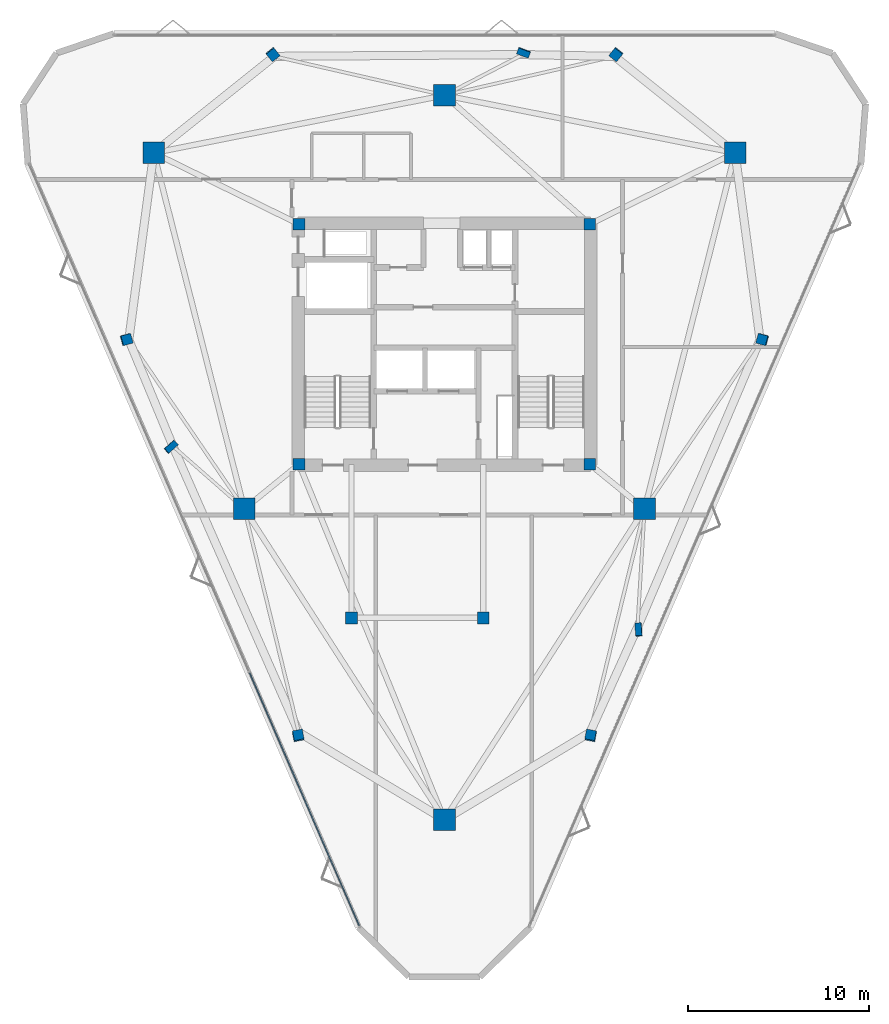
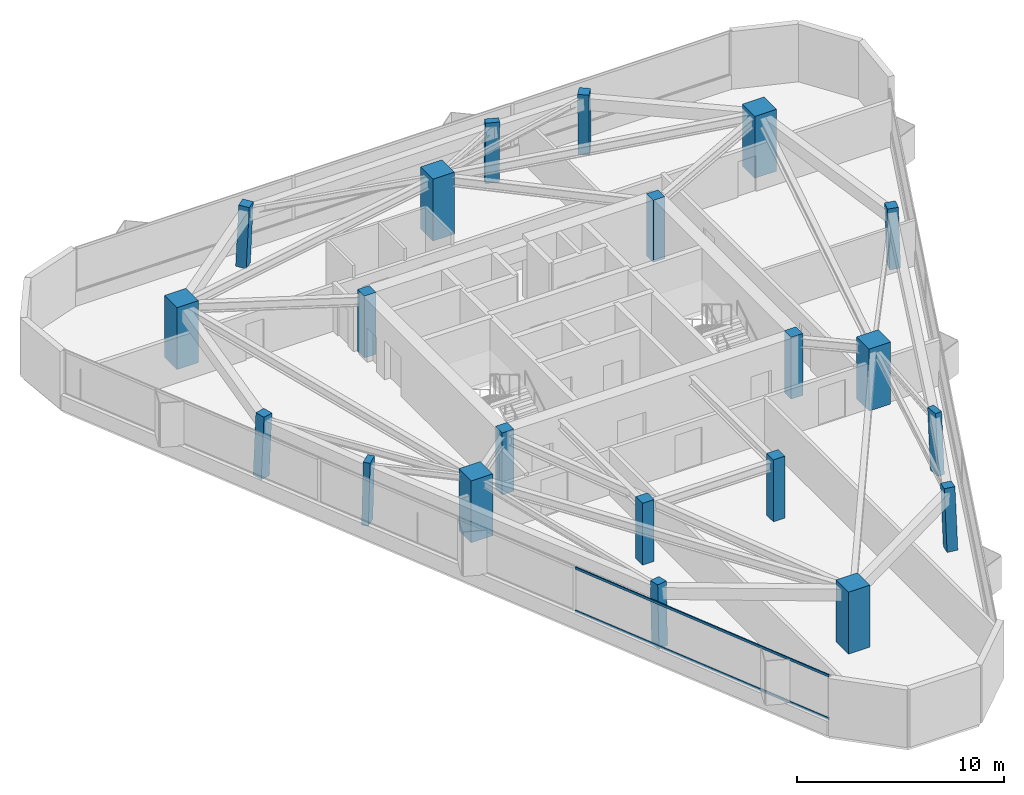
# One storey, part 1 of 11: 21 columns, 2 members, 1 element without a shape of its own.
"""IFC4 building model written with IfcOpenShell, lengths in metres."""

from ifc_helpers import new_model, si_unit, direction, frame, origin, origin_2d, place, context, subcontext, project, spatial, rectangle, extrude, material, layer, layer_set, material_profile, profile_set, type_object, element, aggregate, save


model = new_model("IFC4")

# Units and contexts
model_context = context("Model", 3, precision=1e-05, world=origin(), true_north=direction((0.0, 1.0)))
body_context = subcontext(model_context, "Body", "Model", "MODEL_VIEW")
ifc_project = project(units=[si_unit("LENGTHUNIT", "METRE"), si_unit("AREAUNIT", "SQUARE_METRE"), si_unit("VOLUMEUNIT", "CUBIC_METRE"), si_unit("PLANEANGLEUNIT", "RADIAN"), si_unit("MASSUNIT", "GRAM", prefix="KILO")], contexts=[model_context])

# Site, building, storey
site_placement = place(None, origin())
site = spatial("IfcSite", under=ifc_project, at=site_placement, CompositionType="ELEMENT")
building_placement = place(site_placement, origin())
building = spatial("IfcBuilding", under=site, at=building_placement, Name="Talyreon Biosciences Tower", CompositionType="ELEMENT")
storey_placement = place(building_placement, frame((0.0, 0.0, 249.85009765625)))
storey = spatial("IfcBuildingStorey", under=building, at=storey_placement, Name="L66", CompositionType="ELEMENT", Elevation=249.85009765625)

# Columns
ifc_material_1 = material(Name="Precast concrete C45/55", Category="concrete")
ifc_material_profile_1 = material_profile(ifc_material_1, rectangle(XDim=0.699951171875, YDim=0.35009765625, at=origin_2d()), Name="RC 700x350")
ifc_profile_set_1 = profile_set([ifc_material_profile_1], Name="Precast concrete C45/55")
column_type_1 = type_object("IfcColumnType", Name="FacadePilaster_700x350", PredefinedType="PILASTER", material=ifc_profile_set_1)
column_1_placement = place(storey_placement, frame((76.763427734375, 52.173828125, 0.0029296875), z_axis=(-0.019611953815, 0.038353752683, 0.999071749637), x_axis=(0.063424322682, -0.997203573206, 0.039527065121)))
element("IfcColumn", 1, at=column_1_placement, inside=storey, type_object=column_type_1, Name="L66 Facade Pilaster PL-SE", PredefinedType="PILASTER", context=body_context, shape_type="SweptSolid", body=[
    extrude(rectangle(XDim=0.699951171875, YDim=0.35009765625, at=origin_2d()), origin(), (0.0, 0.0, 1.0), 3.6474609375),
])
column_2_placement = place(storey_placement, frame((70.392822265625, 84.167724609375, 0.0029296875), z_axis=(-0.012386580681, -0.033477245085, 0.999362720278), x_axis=(-0.937861842681, 0.347008881792, 0.0)))
element("IfcColumn", 2, at=column_2_placement, inside=storey, type_object=column_type_1, Name="L66 Facade Pilaster PL-N", PredefinedType="PILASTER", context=body_context, shape_type="SweptSolid", body=[
    extrude(rectangle(XDim=0.699951171875, YDim=0.35009765625, at=origin_2d()), origin(), (0.0, 0.0, 1.0), 3.646484375),
])
column_3_placement = place(storey_placement, frame((50.843505859375, 62.3134765625, 0.0029296875), z_axis=(0.032006454348, 0.010579539303, 0.999431668614), x_axis=(0.745968971731, 0.665262002068, -0.030931566717)))
element("IfcColumn", 3, at=column_3_placement, inside=storey, type_object=column_type_1, Name="L66 Facade Pilaster PL-SW", PredefinedType="PILASTER", context=body_context, shape_type="SweptSolid", body=[
    extrude(rectangle(XDim=0.699951171875, YDim=0.35009765625, at=origin_2d()), origin(), (0.0, 0.0, 1.0), 3.64599609375),
])
ifc_material_2 = material(Name="Concrete C50/60", Category="concrete")
ifc_material_profile_2 = material_profile(ifc_material_2, rectangle(XDim=1.199951171875, YDim=1.199951171875, at=origin_2d()), Name="RC 1200x1200")
ifc_profile_set_2 = profile_set([ifc_material_profile_2], Name="Concrete C50/60")
column_type_2 = type_object("IfcColumnType", Name="MegaColumn_1200", PredefinedType="COLUMN", material=ifc_profile_set_2)
for number, where, z_axis, x_axis, name in (
    (4, (66.0, 41.6669921875, 0.0), (0.0, 0.0, 1.0), (1.0, 0.0, 0.0), "L66 Composite Mega-Column MC1"),
    (5, (82.102294921875, 78.5986328125, 0.0), (0.0, 0.0, 1.0), (1.0, 0.0, 0.0), "L66 Composite Mega-Column MC2"),
    (6, (49.897705078125, 78.5986328125, 0.0), (0.0, 0.0, 1.0), (1.0, 0.0, 0.0), "L66 Composite Mega-Column MC3"),
    (7, (77.086181640625, 58.88037109375, 0.0), (0.0, 0.0, 1.0), (1.0, 0.0, 0.0), "L66 Composite Mega-Column MC4"),
    (8, (66.0, 81.788818359375, 0.0), (0.0, 0.0, 1.0), (1.0, 0.0, 0.0), "L66 Composite Mega-Column MC5"),
    (9, (54.913818359375, 58.88037109375, 0.0), (0.0, 0.0, 1.0), (1.0, 0.0, 0.0), "L66 Composite Mega-Column MC6"),
):
    element("IfcColumn", number, at=place(storey_placement, frame(where, z_axis=z_axis, x_axis=x_axis)), inside=storey, type_object=column_type_2, Name=name, PredefinedType="COLUMN", context=body_context, shape_type="SweptSolid", body=[
        extrude(rectangle(XDim=1.199951171875, YDim=1.199951171875, at=origin_2d()), origin(), (0.0, 0.0, 1.0), 3.64990234375),
    ])
ifc_material_profile_3 = material_profile(ifc_material_2, rectangle(XDim=0.550048828125, YDim=0.550048828125, at=origin_2d()), Name="RC 550x550")
ifc_profile_set_3 = profile_set([ifc_material_profile_3], Name="Concrete C50/60")
column_type_3 = type_object("IfcColumnType", Name="PerimeterColumn_550", PredefinedType="COLUMN", material=ifc_profile_set_3)
column_4_placement = place(storey_placement, frame((74.109130859375, 46.298828125, 0.0029296875), z_axis=(-0.012308213911, 0.054517360531, 0.99843696109), x_axis=(-0.186013372257, -0.981207941568, 0.051283532888)))
element("IfcColumn", 10, at=column_4_placement, inside=storey, type_object=column_type_3, Name="L66 Tapering Perimeter Column PC-SE1", PredefinedType="COLUMN", context=body_context, shape_type="SweptSolid", body=[
    extrude(rectangle(XDim=0.550048828125, YDim=0.550048828125, at=origin_2d()), origin(), (0.0, 0.0, 1.0), 3.649658203125),
])
column_5_placement = place(storey_placement, frame((83.627197265625, 68.26806640625, 0.0029296875), z_axis=(-0.039229508262, -0.005623342481, 0.999214403269), x_axis=(0.96399787144, -0.26341170958, 0.036364476019)))
element("IfcColumn", 11, at=column_5_placement, inside=storey, type_object=column_type_3, Name="L66 Tapering Perimeter Column PC-SE2", PredefinedType="COLUMN", context=body_context, shape_type="SweptSolid", body=[
    extrude(rectangle(XDim=0.550048828125, YDim=0.550048828125, at=origin_2d()), origin(), (0.0, 0.0, 1.0), 3.64697265625),
])
for number, where, z_axis, x_axis, name in (
    (12, (75.51806640625, 84.06787109375, 0.0029296875), (-0.026907963191, -0.033534551141, 0.999075270136), (-0.779956681152, 0.625833504637, 0.0), "L66 Tapering Perimeter Column PC-N1"),
    (13, (56.48193359375, 84.06787109375, 0.0029296875), (0.026907963191, -0.033534551141, 0.999075270136), (-0.779956681152, -0.625833504637, 0.0), "L66 Tapering Perimeter Column PC-N2"),
):
    element("IfcColumn", number, at=place(storey_placement, frame(where, z_axis=z_axis, x_axis=x_axis)), inside=storey, type_object=column_type_3, Name=name, PredefinedType="COLUMN", context=body_context, shape_type="SweptSolid", body=[
        extrude(rectangle(XDim=0.550048828125, YDim=0.550048828125, at=origin_2d()), origin(), (0.0, 0.0, 1.0), 3.6474609375),
    ])
column_6_placement = place(storey_placement, frame((48.372802734375, 68.26806640625, 0.0029296875), z_axis=(0.039229508262, -0.005623342481, 0.999214403269), x_axis=(0.96399787144, 0.26341170958, -0.036364476019)))
element("IfcColumn", 14, at=column_6_placement, inside=storey, type_object=column_type_3, Name="L66 Tapering Perimeter Column PC-SW1", PredefinedType="COLUMN", context=body_context, shape_type="SweptSolid", body=[
    extrude(rectangle(XDim=0.550048828125, YDim=0.550048828125, at=origin_2d()), origin(), (0.0, 0.0, 1.0), 3.64697265625),
])
column_7_placement = place(storey_placement, frame((57.890869140625, 46.298828125, 0.0029296875), z_axis=(0.012308213911, 0.054517360531, 0.99843696109), x_axis=(-0.186013372257, 0.981207941568, -0.051283532888)))
element("IfcColumn", 15, at=column_7_placement, inside=storey, type_object=column_type_3, Name="L66 Tapering Perimeter Column PC-SW2", PredefinedType="COLUMN", context=body_context, shape_type="SweptSolid", body=[
    extrude(rectangle(XDim=0.550048828125, YDim=0.550048828125, at=origin_2d()), origin(), (0.0, 0.0, 1.0), 3.649658203125),
])
ifc_material_profile_4 = material_profile(ifc_material_2, rectangle(XDim=0.64990234375, YDim=0.64990234375, at=origin_2d()), Name="RC 650x650")
ifc_profile_set_4 = profile_set([ifc_material_profile_4], Name="Concrete C50/60")
column_type_4 = type_object("IfcColumnType", Name="PerimeterColumn_650", PredefinedType="COLUMN", material=ifc_profile_set_4)
for number, where, z_axis, x_axis, name in (
    (16, (57.949951171875, 61.35009765625, 0.0), (0.0, 0.0, 1.0), (1.0, 0.0, 0.0), "L66 Core Column CC1"),
    (17, (74.050048828125, 61.35009765625, 0.0), (0.0, 0.0, 1.0), (1.0, 0.0, 0.0), "L66 Core Column CC2"),
    (18, (74.050048828125, 74.64990234375, 0.0), (0.0, 0.0, 1.0), (1.0, 0.0, 0.0), "L66 Core Column CC3"),
    (19, (57.949951171875, 74.64990234375, 0.0), (0.0, 0.0, 1.0), (1.0, 0.0, 0.0), "L66 Core Column CC4"),
    (20, (60.85009765625, 52.840087890625, 0.0), (0.0, 0.0, 1.0), (1.0, 0.0, 0.0), "L66 Core Column CSW"),
    (21, (68.14990234375, 52.840087890625, 0.0), (0.0, 0.0, 1.0), (1.0, 0.0, 0.0), "L66 Core Column CSE"),
):
    element("IfcColumn", number, at=place(storey_placement, frame(where, z_axis=z_axis, x_axis=x_axis)), inside=storey, type_object=column_type_4, Name=name, PredefinedType="COLUMN", context=body_context, shape_type="SweptSolid", body=[
        extrude(rectangle(XDim=0.64990234375, YDim=0.64990234375, at=origin_2d()), origin(), (0.0, 0.0, 1.0), 3.64990234375),
    ])

# Curtain wall, members
ifc_material_3 = material(Name="Thermally broken aluminium and low-E glazing", Category="aluminium")
ifc_layer = layer(ifc_material_3, 0.175048828125)
ifc_layer_set = layer_set([ifc_layer], Name="Thermally broken aluminium and low-E glazing")
curtain_wall_type = type_object("IfcCurtainWallType", Name="CurtainWall_Zone5CompLab", PredefinedType="NOTDEFINED", material=ifc_layer_set)
curtain_wall_placement = place(storey_placement, origin())
curtain_wall = element("IfcCurtainWall", 22, at=curtain_wall_placement, inside=storey, type_object=curtain_wall_type, Name="L66 Unitised Curtain Wall FCW-L66-00", PredefinedType="NOTDEFINED")
ifc_material_4 = material(Name="Anodised thermally broken aluminium", Category="aluminium")
ifc_material_profile_5 = material_profile(ifc_material_4, rectangle(XDim=0.06494140625, YDim=0.139892578125, at=origin_2d()), Name="ALUM TRANSOM 65x140")
ifc_profile_set_5 = profile_set([ifc_material_profile_5], Name="Anodised thermally broken aluminium")
member_type = type_object("IfcMemberType", Name="CWTransom_65x140", PredefinedType="USERDEFINED", material=ifc_profile_set_5)
member_1_placement = place(storey_placement, frame((61.276123046875, 35.79345703125, 0.84228515625), z_axis=(-0.397535103943, 0.917586966523, 0.0), x_axis=(-0.917586966523, -0.397535103943, 0.0)))
member_1 = element("IfcMember", 23, at=member_1_placement, type_object=member_type, Name="CW6 transom 1.1", ObjectType="TRANSOM", PredefinedType="USERDEFINED", context=body_context, shape_type="SweptSolid", body=[
    extrude(rectangle(XDim=0.06494140625, YDim=0.139892578125, at=origin_2d()), origin(), (0.0, 0.0, 1.0), 15.250244140625),
])
member_2_placement = place(storey_placement, frame((61.276123046875, 35.79345703125, 3.367431640625), z_axis=(-0.397535103943, 0.917586966523, 0.0), x_axis=(-0.917586966523, -0.397535103943, 0.0)))
member_2 = element("IfcMember", 24, at=member_2_placement, type_object=member_type, Name="CW6 transom 1.2", ObjectType="TRANSOM", PredefinedType="USERDEFINED", context=body_context, shape_type="SweptSolid", body=[
    extrude(rectangle(XDim=0.06494140625, YDim=0.139892578125, at=origin_2d()), origin(), (0.0, 0.0, 1.0), 15.250244140625),
])
aggregate(curtain_wall, [member_1, member_2])

save(model, "model.ifc")
